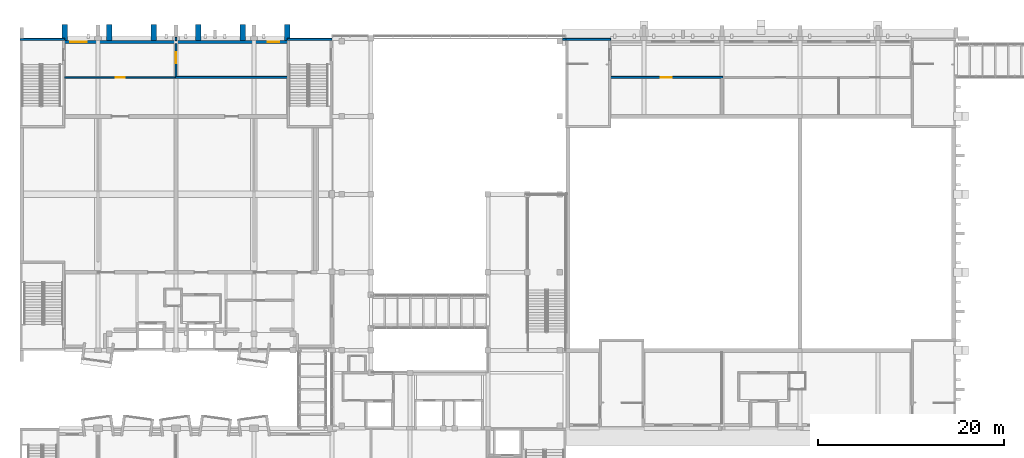
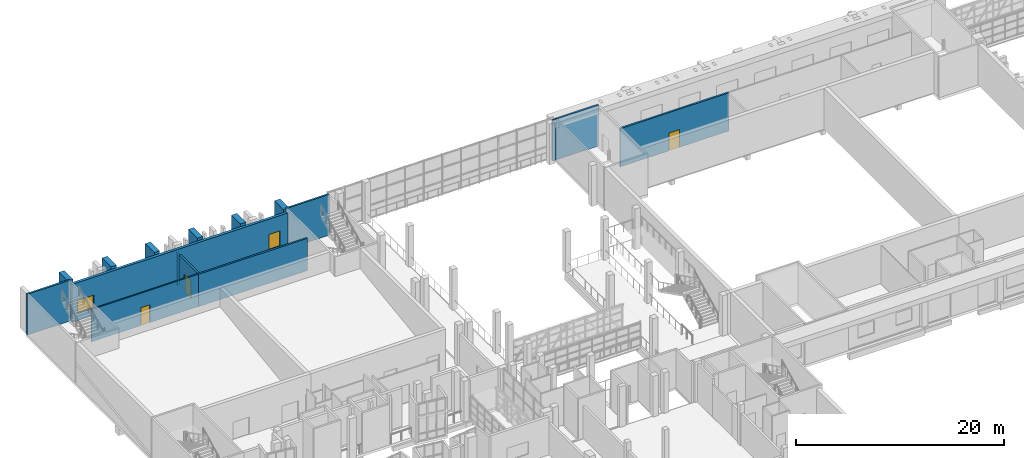
# One storey, part 50 of 86: 16 walls, 3 doors, 2 windows, 5 openings.
"""IFC4 building model written with IfcOpenShell, lengths in metres."""

import ifcopenshell
import ifcopenshell.guid

model = None  # the IFC model being written
_history = None  # IfcOwnerHistory: only IFC2X3 demands one
_inside = {}  # id of a spatial element -> (the spatial element, [elements in it])
_under = {}  # id of a project, library or spatial element -> (it, [spatial elements below it])
_declared = {}  # id of a project -> (the project, [libraries it declares])
_typed = {}  # id of a type object -> (the type object, [elements of that type])
_made_of = {}  # id of a material, layer set ... -> (it, [elements and type objects made of it])


def new_model(schema):
    """Start an empty IFC model of exactly this schema.

    Asked for "IFC4X3", IfcOpenShell would pick the latest addendum, in which some entities
    have other attributes; the version numbers below select the first issue.
    IFC2X3 requires an IfcOwnerHistory on every rooted entity: one is made here for all.
    """
    global model, _history
    if schema == "IFC4X3":
        model = ifcopenshell.file(schema_version=(4, 3, 0, 0))
    else:
        model = ifcopenshell.file(schema=schema)
    _inside.clear()
    _under.clear()
    _declared.clear()
    _typed.clear()
    _made_of.clear()
    _history = None
    if model.schema == "IFC2X3":
        org = make("IfcOrganization", Name="unknown")
        user = make(
            "IfcPersonAndOrganization",
            ThePerson=make("IfcPerson", FamilyName="unknown"),
            TheOrganization=org,
        )
        app = make(
            "IfcApplication",
            ApplicationDeveloper=org,
            Version="unknown",
            ApplicationFullName="unknown",
            ApplicationIdentifier="unknown",
        )
        _history = make(
            "IfcOwnerHistory",
            OwningUser=user,
            OwningApplication=app,
            ChangeAction="ADDED",
            CreationDate=0,
        )
    return model


def make(cls, **values):
    """One entity of the class cls with the attributes given. An attribute that is None is left unset."""
    return model.create_entity(
        cls, **{name: value for name, value in values.items() if value is not None}
    )


def rooted(cls, **values):
    """An entity with a GlobalId (a new one), such as an element, a storey or a relation."""
    return make(cls, GlobalId=ifcopenshell.guid.new(), OwnerHistory=_history, **values)


def si_unit(unit_type, name, prefix=None):
    """IfcSIUnit, for example si_unit("LENGTHUNIT", "METRE", prefix="MILLI")."""
    return make("IfcSIUnit", UnitType=unit_type, Prefix=prefix, Name=name)


def assignment(units):
    """IfcUnitAssignment: the units of a project."""
    return None if units is None else make("IfcUnitAssignment", Units=units)


def point(xyz):
    """IfcCartesianPoint."""
    return None if xyz is None else make("IfcCartesianPoint", Coordinates=xyz)


def direction(xyz):
    """IfcDirection."""
    return None if xyz is None else make("IfcDirection", DirectionRatios=xyz)


def frame(location, z_axis=None, x_axis=None):
    """IfcAxis2Placement3D, a coordinate frame: its origin and axes. An axis left out is left unset."""
    return make(
        "IfcAxis2Placement3D",
        Location=point(location),
        Axis=direction(z_axis),
        RefDirection=direction(x_axis),
    )


def frame_2d(location, x_axis=None):
    """IfcAxis2Placement2D, a coordinate frame in the plane: its origin and x axis."""
    return make(
        "IfcAxis2Placement2D", Location=point(location), RefDirection=direction(x_axis)
    )


def origin():
    """The frame at (0, 0, 0) with its axes left unset."""
    return frame((0.0, 0.0, 0.0))


def place(relative_to, where):
    """IfcLocalPlacement: puts the frame where relative to a parent placement (None: the world)."""
    return make(
        "IfcLocalPlacement", PlacementRelTo=relative_to, RelativePlacement=where
    )


def context(
    kind, dimensions, precision=None, world=None, true_north=None, identifier=None
):
    """IfcGeometricRepresentationContext, for example the 3D "Model" context."""
    return make(
        "IfcGeometricRepresentationContext",
        ContextIdentifier=identifier,
        ContextType=kind,
        CoordinateSpaceDimension=dimensions,
        Precision=precision,
        WorldCoordinateSystem=world,
        TrueNorth=true_north,
    )


def subcontext(parent, identifier, kind, view, scale=None):
    """IfcGeometricRepresentationSubContext, for example "Body" below "Model"."""
    return make(
        "IfcGeometricRepresentationSubContext",
        ContextIdentifier=identifier,
        ContextType=kind,
        ParentContext=parent,
        TargetScale=scale,
        TargetView=view,
    )


def project(units=None, contexts=None):
    """IfcProject with its units and contexts."""
    return rooted(
        "IfcProject",
        Name="project",
        RepresentationContexts=contexts,
        UnitsInContext=assignment(units),
    )


def spatial(cls, under=None, at=None, **own):
    """A site, building, storey or space (cls), placed at a placement, below another one or the project."""
    s = rooted(cls, ObjectPlacement=at, **own)
    if under is not None:
        _under.setdefault(under.id(), (under, []))[1].append(s)
    return s


def profile(cls, at=None, kind="AREA", **sizes):
    """A parametric profile (cls). Its sizes go by their IFC names, for example OverallWidth=200.0."""
    return make(cls, ProfileType=kind, Position=at, **sizes)


def rectangle(**sizes):
    """IfcRectangleProfileDef."""
    return profile("IfcRectangleProfileDef", **sizes)


def extrude(swept, where, along, depth):
    """IfcExtrudedAreaSolid: the profile swept, set in the frame where, extruded along a direction by depth."""
    return make(
        "IfcExtrudedAreaSolid",
        SweptArea=swept,
        Position=where,
        ExtrudedDirection=direction(along),
        Depth=depth,
    )


def shape(context_of_items, identifier, shape_type, items):
    """IfcShapeRepresentation: the items that make up one representation, for example the "Body"."""
    return make(
        "IfcShapeRepresentation",
        ContextOfItems=context_of_items,
        RepresentationIdentifier=identifier,
        RepresentationType=shape_type,
        Items=items,
    )


def material(Name=None, Category=None):
    """IfcMaterial."""
    return make("IfcMaterial", Name=Name, Category=Category)


def layer(
    of_material, thickness, ventilated=None, Name=None, Category=None, Priority=None
):
    """IfcMaterialLayer: one layer of a wall or slab, of a material (None: an air gap)."""
    return make(
        "IfcMaterialLayer",
        Material=of_material,
        LayerThickness=thickness,
        IsVentilated=ventilated,
        Name=Name,
        Category=Category,
        Priority=Priority,
    )


def layer_set(layers, Name=None):
    """IfcMaterialLayerSet."""
    return make("IfcMaterialLayerSet", MaterialLayers=layers, LayerSetName=Name)


def made_of(thing, what):
    """Note that an element or type object is made of a material, layer set ...; save() writes the relation."""
    if what is not None:
        _made_of.setdefault(what.id(), (what, []))[1].append(thing)
    return thing


def type_object(cls, material=None, **own):
    """A type object (cls), such as IfcWallType, which elements share."""
    return made_of(rooted(cls, **own), material)


def element(
    cls,
    number,
    at=None,
    inside=None,
    cuts=None,
    type_object=None,
    material=None,
    context=None,
    identifier="Body",
    shape_type=None,
    held_by="IfcProductDefinitionShape",
    body=None,
    shapes=None,
    **own,
):
    """One element of the class cls, such as IfcWall. Its Tag is "e" and its number.

    at: its placement. inside: the storey or other place that contains it. cuts: it is an
    opening in that element (IfcRelVoidsElement). A single representation is given by context,
    identifier, shape_type and body (its items); several are given by shapes. held_by: the class
    of the entity that holds the representations. save() writes the other relations.
    """
    e = rooted(cls, Tag="e%d" % number, ObjectPlacement=at, **own)
    if body is not None:
        shapes = [shape(context, identifier, shape_type, body)]
    if shapes is not None:
        e.Representation = make(held_by, Representations=shapes)
    if inside is not None:
        _inside.setdefault(inside.id(), (inside, []))[1].append(e)
    if cuts is not None:
        rooted(
            "IfcRelVoidsElement", RelatingBuildingElement=cuts, RelatedOpeningElement=e
        )
    if type_object is not None:
        _typed.setdefault(type_object.id(), (type_object, []))[1].append(e)
    return made_of(e, material)


def fill(opening, filler):
    """IfcRelFillsElement: the door or window that sits in an opening."""
    return rooted(
        "IfcRelFillsElement",
        RelatingOpeningElement=opening,
        RelatedBuildingElement=filler,
    )


def aggregate(whole, parts):
    """IfcRelAggregates: a whole, such as a stair, and the parts it consists of."""
    return rooted("IfcRelAggregates", RelatingObject=whole, RelatedObjects=parts)


def save(model, path):
    """Write the relations noted so far, then the file.

    IfcRelAggregates (storeys below a building ...), IfcRelContainedInSpatialStructure (elements
    in a storey), IfcRelDefinesByType, IfcRelAssociatesMaterial and IfcRelDeclares: one each for
    every whole, place, type object, material and project.
    """
    for whole, parts in _under.values():
        aggregate(whole, parts)
    for where, things in _inside.values():
        rooted(
            "IfcRelContainedInSpatialStructure",
            RelatedElements=things,
            RelatingStructure=where,
        )
    for kind, things in _typed.values():
        rooted("IfcRelDefinesByType", RelatedObjects=things, RelatingType=kind)
    for what, things in _made_of.values():
        rooted("IfcRelAssociatesMaterial", RelatedObjects=things, RelatingMaterial=what)
    for by, libraries in _declared.values():
        rooted("IfcRelDeclares", RelatingContext=by, RelatedDefinitions=libraries)
    model.write(path)


model = new_model("IFC4")

# Units and contexts
model_context = context("Model", 3, precision=1e-05, world=origin(), true_north=direction((0.0, 1.0)))
body_context = subcontext(model_context, "Body", "Model", "MODEL_VIEW")
ifc_project = project(units=[si_unit("LENGTHUNIT", "METRE"), si_unit("AREAUNIT", "SQUARE_METRE"), si_unit("VOLUMEUNIT", "CUBIC_METRE"), si_unit("PLANEANGLEUNIT", "RADIAN"), si_unit("MASSUNIT", "GRAM", prefix="KILO")], contexts=[model_context])

# Site, building, storey
site_placement = place(None, origin())
site = spatial("IfcSite", under=ifc_project, at=site_placement, CompositionType="ELEMENT")
building_placement = place(site_placement, origin())
building = spatial("IfcBuilding", under=site, at=building_placement, Name="Kiln Court Media Centre", CompositionType="ELEMENT")
storey_placement = place(building_placement, frame((0.0, 0.0, 10.199951171875)))
storey = spatial("IfcBuildingStorey", under=building, at=storey_placement, Name="L02", CompositionType="ELEMENT", Elevation=10.199951171875)

# Wall
ifc_material_1 = material(Name="Concrete block masonry M10", Category="masonry")
ifc_layer_1 = layer(ifc_material_1, 0.199951171875)
ifc_layer_set_1 = layer_set([ifc_layer_1], Name="Block plant room wall 200 EI 120")
wall_type_1 = type_object("IfcWallType", Name="Block plant room wall 200 EI 120", PredefinedType="SOLIDWALL", material=ifc_layer_set_1)
wall_1_placement = place(storey_placement, frame((16.699951171875, 63.0, 0.0), z_axis=(0.0, 0.0, 1.0), x_axis=(1.0, 0.0, 0.0)))
element("IfcWall", 1, at=wall_1_placement, inside=storey, type_object=wall_type_1, Name="L02 block plant room wall", PredefinedType="SOLIDWALL", context=body_context, shape_type="SweptSolid", body=[
    extrude(rectangle(XDim=12.099853515625, YDim=0.199951171875, at=frame_2d((6.0498046875, 0.0))), origin(), (0.0, 0.0, 1.0), 3.800048828125),
])

# Wall, opening, door
wall_2_placement = place(storey_placement, frame((63.60009765625, 63.0, 0.0), z_axis=(0.0, 0.0, 1.0), x_axis=(1.0, 0.0, 0.0)))
wall_2 = element("IfcWall", 2, at=wall_2_placement, inside=storey, type_object=wall_type_1, Name="L02 block plant room wall", PredefinedType="SOLIDWALL", context=body_context, shape_type="SweptSolid", body=[
    extrude(rectangle(XDim=12.099853515625, YDim=0.199951171875, at=frame_2d((6.0498046875, 0.0))), origin(), (0.0, 0.0, 1.0), 4.5),
])
opening_1_placement = place(wall_2_placement, frame((5.39990234375, 0.0, 0.0)))
opening_1 = element("IfcOpeningElement", 3, at=opening_1_placement, cuts=wall_2, Name="Opening D2025", PredefinedType="OPENING", context=body_context, shape_type="SweptSolid", body=[
    extrude(rectangle(XDim=1.199951171875, YDim=2.10009765625, at=frame_2d((0.60009765625, 1.050048828125))), frame((0.0, 0.10986328125, 0.0), z_axis=(0.0, -1.0, 0.0), x_axis=(1.0, 0.0, 0.0)), (0.0, 0.0, 1.0), 0.219970703125),
])
ifc_material_2 = material(Name="Steel S275", Category="steel")
door_type_1 = type_object("IfcDoorType", Name="Steel plant door 1200 x 2100 FD180", OperationType="SINGLE_SWING_LEFT", PredefinedType="DOOR", material=ifc_material_2)
door_1_placement = place(opening_1_placement, origin())
door_1 = element("IfcDoor", 4, at=door_1_placement, inside=storey, type_object=door_type_1, Name="Projector Equipment Room / Rear Gallery", OperationType="SINGLE_SWING_LEFT", OverallHeight=2.10009765625, OverallWidth=1.199951171875, PredefinedType="DOOR", context=body_context, shape_type="SweptSolid", body=[
    extrude(rectangle(XDim=1.199951171875, YDim=2.10009765625, at=frame_2d((0.60009765625, 1.050048828125))), frame((0.0, 0.02490234375, 0.0), z_axis=(0.0, -1.0, 0.0), x_axis=(1.0, 0.0, 0.0)), (0.0, 0.0, 1.0), 0.050048828125),
])
fill(opening_1, door_1)

wall_3_placement = place(storey_placement, frame((16.800048828125, 63.10009765625, 0.0), z_axis=(0.0, 0.0, 1.0), x_axis=(0.0, 1.0, 0.0)))
wall_3 = element("IfcWall", 5, at=wall_3_placement, inside=storey, type_object=wall_type_1, Name="L02 block plant room wall", PredefinedType="SOLIDWALL", context=body_context, shape_type="SweptSolid", body=[
    extrude(rectangle(XDim=3.5498046875, YDim=0.199951171875, at=frame_2d((1.77490234375, 0.0))), origin(), (0.0, 0.0, 1.0), 3.800048828125),
])
opening_2_placement = place(wall_3_placement, frame((1.39990234375, 0.0, 0.0)))
opening_2 = element("IfcOpeningElement", 6, at=opening_2_placement, cuts=wall_3, Name="Opening D2035", PredefinedType="OPENING", context=body_context, shape_type="SweptSolid", body=[
    extrude(rectangle(XDim=1.199951171875, YDim=2.10009765625, at=frame_2d((0.60009765625, 1.050048828125))), frame((0.0, 0.10986328125, 0.0), z_axis=(0.0, -1.0, 0.0), x_axis=(1.0, 0.0, 0.0)), (0.0, 0.0, 1.0), 0.219970703125),
])
door_2_placement = place(opening_2_placement, origin())
door_2 = element("IfcDoor", 7, at=door_2_placement, inside=storey, type_object=door_type_1, Name="Cinema Staff Room / Cinema Plant Room", OperationType="SINGLE_SWING_LEFT", OverallHeight=2.10009765625, OverallWidth=1.199951171875, PredefinedType="DOOR", context=body_context, shape_type="SweptSolid", body=[
    extrude(rectangle(XDim=1.199951171875, YDim=2.10009765625, at=frame_2d((0.60009765625, 1.050048828125))), frame((0.0, 0.02490234375, 0.0), z_axis=(0.0, -1.0, 0.0), x_axis=(1.0, 0.0, 0.0)), (0.0, 0.0, 1.0), 0.050048828125),
])
fill(opening_2, door_2)

# Wall
wall_4_placement = place(storey_placement, frame((16.800048828125, 66.949951171875, 0.0), z_axis=(0.0, 0.0, 1.0), x_axis=(0.0, 1.0, 0.0)))
element("IfcWall", 8, at=wall_4_placement, inside=storey, type_object=wall_type_1, Name="L02 block plant room wall", PredefinedType="SOLIDWALL", context=body_context, shape_type="SweptSolid", body=[
    extrude(rectangle(XDim=0.35009765625, YDim=0.199951171875, at=frame_2d((0.175048828125, 0.0))), origin(), (0.0, 0.0, 1.0), 3.800048828125),
])

# Wall, openings, windows
ifc_material_3 = material(Name="Concrete C40/50", Category="concrete")
ifc_layer_2 = layer(ifc_material_3, 0.300048828125)
ifc_layer_set_2 = layer_set([ifc_layer_2], Name="Concrete C40/50 board-marked facade wall 300")
wall_type_2 = type_object("IfcWallType", Name="Concrete C40/50 board-marked facade wall 300", PredefinedType="SOLIDWALL", material=ifc_layer_set_2)
wall_5_placement = place(storey_placement, frame((4.800048828125, 66.800048828125, 0.0), z_axis=(0.0, 0.0, 1.0), x_axis=(1.0, 0.0, 0.0)))
wall_5 = element("IfcWall", 9, at=wall_5_placement, inside=storey, type_object=wall_type_2, Name="V4 N facade wall 4010", PredefinedType="SOLIDWALL", context=body_context, shape_type="SweptSolid", body=[
    extrude(rectangle(XDim=24.0, YDim=0.300048828125, at=frame_2d((12.0, 0.0))), origin(), (0.0, 0.0, 1.0), 4.5),
])
opening_3_placement = place(wall_5_placement, frame((0.60009765625, 0.0, 0.89990234375)))
opening_3 = element("IfcOpeningElement", 10, at=opening_3_placement, cuts=wall_5, Name="Opening WN2513", PredefinedType="OPENING", context=body_context, shape_type="SweptSolid", body=[
    extrude(rectangle(XDim=1.800048828125, YDim=1.5, at=frame_2d((0.89990234375, 0.75))), frame((0.0, 0.159912109375, 0.0), z_axis=(0.0, -1.0, 0.0), x_axis=(1.0, 0.0, 0.0)), (0.0, 0.0, 1.0), 0.320068359375),
])
opening_4_placement = place(wall_5_placement, frame((21.89990234375, 0.0, 0.89990234375)))
opening_4 = element("IfcOpeningElement", 11, at=opening_4_placement, cuts=wall_5, Name="Opening WN2514", PredefinedType="OPENING", context=body_context, shape_type="SweptSolid", body=[
    extrude(rectangle(XDim=1.199951171875, YDim=1.800048828125, at=frame_2d((0.60009765625, 0.89990234375))), frame((0.0, 0.159912109375, 0.0), z_axis=(0.0, -1.0, 0.0), x_axis=(1.0, 0.0, 0.0)), (0.0, 0.0, 1.0), 0.320068359375),
])
ifc_material_4 = material(Name="Aluminium 6063-T6", Category="aluminium")
window_type_1 = type_object("IfcWindowType", Name="Aluminium lobby window 1800x1500", PartitioningType="DOUBLE_PANEL_VERTICAL", PredefinedType="WINDOW", material=ifc_material_4)
window_1_placement = place(opening_3_placement, origin())
window_1 = element("IfcWindow", 12, at=window_1_placement, inside=storey, type_object=window_type_1, Name="V4 N meeting window", OverallHeight=1.5, OverallWidth=1.800048828125, PartitioningType="SINGLE_PANEL", PredefinedType="WINDOW", context=body_context, shape_type="SweptSolid", body=[
    extrude(rectangle(XDim=1.800048828125, YDim=1.5, at=frame_2d((0.89990234375, 0.75))), frame((0.0, 0.030029296875, 0.0), z_axis=(0.0, -1.0, 0.0), x_axis=(1.0, 0.0, 0.0)), (0.0, 0.0, 1.0), 0.06005859375),
])
fill(opening_3, window_1)
ifc_material_5 = material(Name="Aluminium 6063-T6", Category="aluminium")
window_type_2 = type_object("IfcWindowType", Name="Aluminium louvre 1200x1800", PartitioningType="SINGLE_PANEL", PredefinedType="WINDOW", material=ifc_material_5)
window_2_placement = place(opening_4_placement, origin())
window_2 = element("IfcWindow", 13, at=window_2_placement, inside=storey, type_object=window_type_2, Name="V4 N plant window", OverallHeight=1.800048828125, OverallWidth=1.199951171875, PartitioningType="SINGLE_PANEL", PredefinedType="WINDOW", context=body_context, shape_type="SweptSolid", body=[
    extrude(rectangle(XDim=1.199951171875, YDim=1.800048828125, at=frame_2d((0.60009765625, 0.89990234375))), frame((0.0, 0.030029296875, 0.0), z_axis=(0.0, -1.0, 0.0), x_axis=(1.0, 0.0, 0.0)), (0.0, 0.0, 1.0), 0.06005859375),
])
fill(opening_4, window_2)

# Walls
ifc_material_6 = material(Name="Concrete C40/50", Category="concrete")
ifc_layer_3 = layer(ifc_material_6, 0.60009765625)
ifc_layer_set_3 = layer_set([ifc_layer_3], Name="Concrete C40/50 cast rib 600x1500")
wall_type_3 = type_object("IfcWallType", Name="Concrete C40/50 cast rib 600x1500", PredefinedType="SOLIDWALL", material=ifc_layer_set_3)
wall_6_placement = place(storey_placement, frame((4.800048828125, 67.0, 0.0), z_axis=(0.0, 0.0, 1.0), x_axis=(0.0, 1.0, 0.0)))
element("IfcWall", 14, at=wall_6_placement, inside=storey, type_object=wall_type_3, Name="V4 N cast rib 1", PredefinedType="SOLIDWALL", context=body_context, shape_type="SweptSolid", body=[
    extrude(rectangle(XDim=1.699951171875, YDim=0.60009765625, at=frame_2d((0.85009765625, 0.0))), origin(), (0.0, 0.0, 1.0), 4.800048828125),
])
for number, where, z_axis, x_axis, name in (
    (15, (9.60009765625, 66.949951171875, 0.0), (0.0, 0.0, 1.0), (0.0, 1.0, 0.0), "V4 N cast rib 2"),
    (16, (14.39990234375, 66.949951171875, 0.0), (0.0, 0.0, 1.0), (0.0, 1.0, 0.0), "V4 N cast rib 3"),
    (17, (19.199951171875, 66.949951171875, 0.0), (0.0, 0.0, 1.0), (0.0, 1.0, 0.0), "V4 N cast rib 4"),
    (18, (24.0, 66.949951171875, 0.0), (0.0, 0.0, 1.0), (0.0, 1.0, 0.0), "V4 N cast rib 5"),
):
    element("IfcWall", number, at=place(storey_placement, frame(where, z_axis=z_axis, x_axis=x_axis)), inside=storey, type_object=wall_type_3, Name=name, PredefinedType="SOLIDWALL", context=body_context, shape_type="SweptSolid", body=[
        extrude(rectangle(XDim=1.75, YDim=0.60009765625, at=frame_2d((0.875, 0.0))), origin(), (0.0, 0.0, 1.0), 4.800048828125),
    ])
wall_7_placement = place(storey_placement, frame((28.800048828125, 67.0, 0.0), z_axis=(0.0, 0.0, 1.0), x_axis=(0.0, 1.0, 0.0)))
element("IfcWall", 19, at=wall_7_placement, inside=storey, type_object=wall_type_3, Name="V4 N cast rib 6", PredefinedType="SOLIDWALL", context=body_context, shape_type="SweptSolid", body=[
    extrude(rectangle(XDim=1.699951171875, YDim=0.60009765625, at=frame_2d((0.85009765625, 0.0))), origin(), (0.0, 0.0, 1.0), 4.800048828125),
])
ifc_material_7 = material(Name="Concrete C40/50", Category="concrete")
ifc_layer_4 = layer(ifc_material_7, 0.199951171875)
ifc_layer_set_4 = layer_set([ifc_layer_4], Name="Concrete C40/50 shear wall 200")
wall_type_4 = type_object("IfcWallType", Name="Concrete C40/50 shear wall 200", PredefinedType="SHEAR", material=ifc_layer_set_4)
wall_8_placement = place(storey_placement, frame((0.00048828125, 67.10009765625, 0.0), z_axis=(0.0, 0.0, 1.0), x_axis=(1.0, 0.0, 0.0)))
element("IfcWall", 20, at=wall_8_placement, inside=storey, type_object=wall_type_4, Name="L02-W-1025", PredefinedType="SHEAR", context=body_context, shape_type="SweptSolid", body=[
    extrude(rectangle(XDim=4.799560546875, YDim=0.199951171875, at=frame_2d((2.39990234375, 0.0))), origin(), (0.0, 0.0, 1.0), 4.800048828125),
])
for number, where, z_axis, x_axis, name in (
    (21, (28.800048828125, 67.10009765625, 0.0), (0.0, 0.0, 1.0), (1.0, 0.0, 0.0), "L02-W-1029"),
    (22, (58.800048828125, 67.10009765625, 0.0), (0.0, 0.0, 1.0), (1.0, 0.0, 0.0), "L02-W-1041"),
):
    element("IfcWall", number, at=place(storey_placement, frame(where, z_axis=z_axis, x_axis=x_axis)), inside=storey, type_object=wall_type_4, Name=name, PredefinedType="SHEAR", context=body_context, shape_type="SweptSolid", body=[
        extrude(rectangle(XDim=4.800048828125, YDim=0.199951171875, at=frame_2d((2.39990234375, 0.0))), origin(), (0.0, 0.0, 1.0), 4.800048828125),
    ])
wall_9_placement = place(storey_placement, frame((58.449951171875, 67.10009765625, 0.0), z_axis=(0.0, 0.0, 1.0), x_axis=(1.0, 0.0, 0.0)))
element("IfcWall", 23, at=wall_9_placement, inside=storey, type_object=wall_type_4, Name="L02-W-1146", PredefinedType="SHEAR", context=body_context, shape_type="SweptSolid", body=[
    extrude(rectangle(XDim=0.35009765625, YDim=0.199951171875, at=frame_2d((0.175048828125, 0.0))), origin(), (0.0, 0.0, 1.0), 4.800048828125),
])

# Wall, opening, door
ifc_material_8 = material(Name="Gypsum plasterboard", Category="gypsum")
ifc_layer_5 = layer(ifc_material_8, 0.14990234375)
ifc_layer_set_5 = layer_set([ifc_layer_5], Name="Gypsum corridor partition 150 EI 60")
wall_type_5 = type_object("IfcWallType", Name="Gypsum corridor partition 150 EI 60", PredefinedType="PARTITIONING", material=ifc_layer_set_5)
wall_10_placement = place(storey_placement, frame((4.800048828125, 63.0, 0.0), z_axis=(0.0, 0.0, 1.0), x_axis=(1.0, 0.0, 0.0)))
wall_10 = element("IfcWall", 24, at=wall_10_placement, inside=storey, type_object=wall_type_5, Name="L02 gypsum corridor partition", PredefinedType="PARTITIONING", context=body_context, shape_type="SweptSolid", body=[
    extrude(rectangle(XDim=11.89990234375, YDim=0.14990234375, at=frame_2d((5.949951171875, 0.0))), origin(), (0.0, 0.0, 1.0), 3.800048828125),
])
opening_5_placement = place(wall_10_placement, frame((5.5, 0.0, 0.0)))
opening_5 = element("IfcOpeningElement", 25, at=opening_5_placement, cuts=wall_10, Name="Opening D2034", PredefinedType="OPENING", context=body_context, shape_type="SweptSolid", body=[
    extrude(rectangle(XDim=1.0, YDim=2.10009765625, at=frame_2d((0.5, 1.050048828125))), frame((0.0, 0.0849609375, 0.0), z_axis=(0.0, -1.0, 0.0), x_axis=(1.0, 0.0, 0.0)), (0.0, 0.0, 1.0), 0.169921875),
])
ifc_material_9 = material(Name="Steel S275", Category="steel")
door_type_2 = type_object("IfcDoorType", Name="Steel corridor door 1000 x 2100 FD30S", OperationType="SINGLE_SWING_LEFT", PredefinedType="DOOR", material=ifc_material_9)
door_3_placement = place(opening_5_placement, origin())
door_3 = element("IfcDoor", 26, at=door_3_placement, inside=storey, type_object=door_type_2, Name="Rear Exit Lobby / Cinema Staff Room", OperationType="SINGLE_SWING_RIGHT", OverallHeight=2.10009765625, OverallWidth=1.0, PredefinedType="DOOR", context=body_context, shape_type="SweptSolid", body=[
    extrude(rectangle(XDim=1.0, YDim=2.10009765625, at=frame_2d((0.5, 1.050048828125))), frame((0.0, 0.02490234375, 0.0), z_axis=(0.0, -1.0, 0.0), x_axis=(1.0, 0.0, 0.0)), (0.0, 0.0, 1.0), 0.050048828125),
])
fill(opening_5, door_3)

save(model, "model.ifc")
